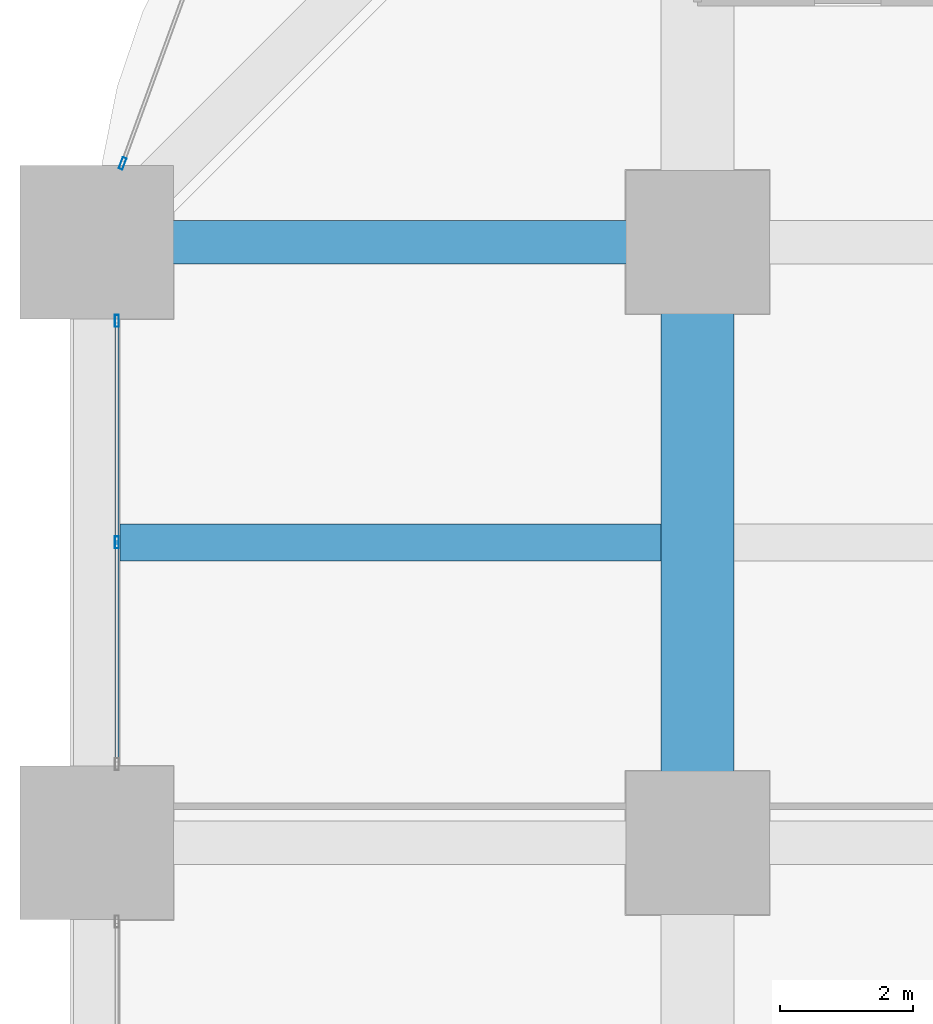
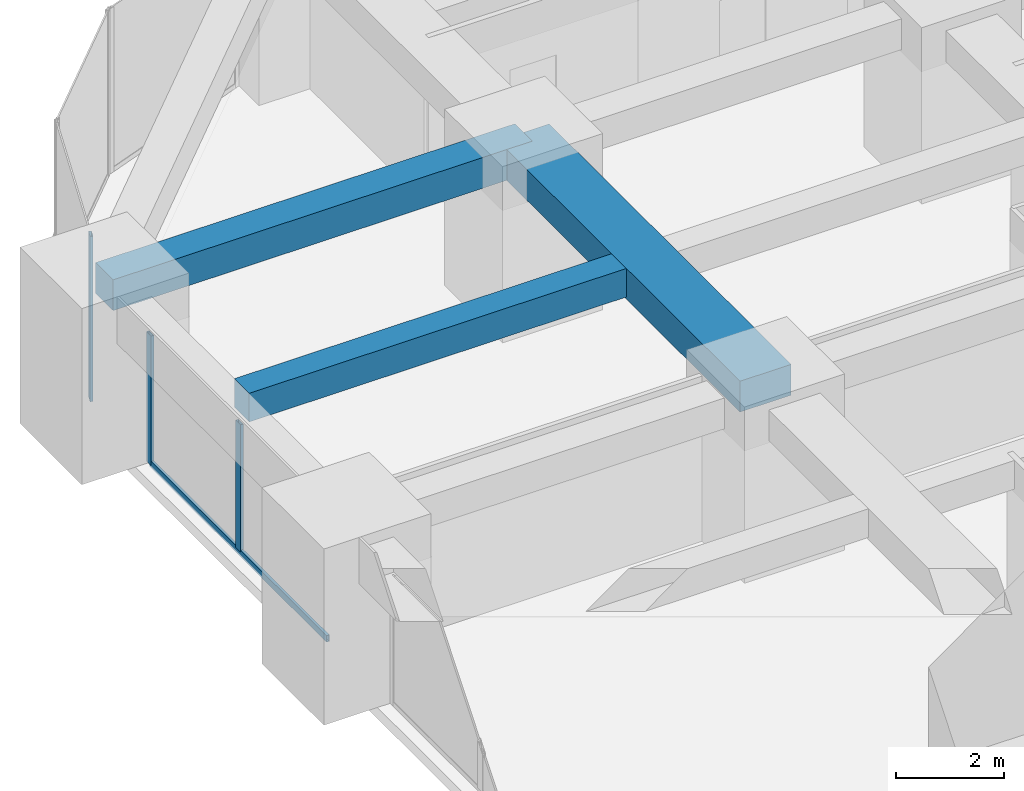
# One storey, part 25 of 44: 4 members, 3 beams, 2 elements without a shape of their own.
"""IFC4 building model written with IfcOpenShell, lengths in metres."""

from ifc_helpers import new_model, si_unit, direction, frame, origin, origin_2d, place, context, subcontext, project, spatial, rectangle, hollow_rectangle, extrude, material, material_profile, profile_set, type_object, element, aggregate, save


model = new_model("IFC4")

# Units and contexts
model_context = context("Model", 3, precision=1e-05, world=origin(), true_north=direction((0.0, 1.0)))
body_context = subcontext(model_context, "Body", "Model", "MODEL_VIEW")
ifc_project = project(units=[si_unit("LENGTHUNIT", "METRE"), si_unit("AREAUNIT", "SQUARE_METRE"), si_unit("VOLUMEUNIT", "CUBIC_METRE"), si_unit("PLANEANGLEUNIT", "RADIAN"), si_unit("MASSUNIT", "GRAM", prefix="KILO")], contexts=[model_context])

# Site, building, storey
site_placement = place(None, origin())
site = spatial("IfcSite", under=ifc_project, at=site_placement, CompositionType="ELEMENT")
building_placement = place(site_placement, origin())
building = spatial("IfcBuilding", under=site, at=building_placement, Name="Zorevar Civic Tower", CompositionType="ELEMENT")
storey_placement = place(building_placement, frame((0.0, 0.0, 55.800048828125)))
storey = spatial("IfcBuildingStorey", under=building, at=storey_placement, Name="L13", CompositionType="ELEMENT", Elevation=55.800048828125)

# Beams
ifc_material_1 = material(Name="Concrete C50/60", Category="concrete")
ifc_material_profile_1 = material_profile(ifc_material_1, rectangle(XDim=1.10009765625, YDim=0.699951171875, at=origin_2d()), Name="RC 1100x700")
ifc_profile_set_1 = profile_set([ifc_material_profile_1], Name="Concrete C50/60")
beam_type_1 = type_object("IfcBeamType", Name="Beam RC 1100x700", PredefinedType="BEAM", material=ifc_profile_set_1)
beam_1_placement = place(storey_placement, frame((9.0, 36.0, 3.39990234375), z_axis=(0.0, 1.0, 0.0), x_axis=(-1.0, 0.0, 0.0)))
element("IfcBeam", 1, at=beam_1_placement, inside=storey, type_object=beam_type_1, Name="Girder L14", PredefinedType="BEAM", context=body_context, shape_type="SweptSolid", body=[
    extrude(rectangle(XDim=1.10009765625, YDim=0.699951171875, at=origin_2d()), origin(), (0.0, 0.0, 1.0), 9.0),
])
ifc_material_2 = material(Name="Concrete C50/60", Category="concrete")
ifc_material_profile_2 = material_profile(ifc_material_2, rectangle(XDim=0.550048828125, YDim=0.64990234375, at=origin_2d()), Name="RC 550x650")
ifc_profile_set_2 = profile_set([ifc_material_profile_2], Name="Concrete C50/60")
beam_type_2 = type_object("IfcBeamType", Name="Beam RC 550x650", PredefinedType="BEAM", material=ifc_profile_set_2)
beam_2_placement = place(storey_placement, frame((0.35009765625, 40.5, 3.425048828125), z_axis=(1.0, 0.0, 0.0), x_axis=(0.0, 1.0, 0.0)))
element("IfcBeam", 2, at=beam_2_placement, inside=storey, type_object=beam_type_2, Name="Secondary beam L14", PredefinedType="BEAM", context=body_context, shape_type="SweptSolid", body=[
    extrude(rectangle(XDim=0.550048828125, YDim=0.64990234375, at=origin_2d()), origin(), (0.0, 0.0, 1.0), 8.099853515625),
])
ifc_material_3 = material(Name="Concrete C50/60", Category="concrete")
ifc_material_profile_3 = material_profile(ifc_material_3, rectangle(XDim=0.64990234375, YDim=0.699951171875, at=origin_2d()), Name="RC 650x700")
ifc_profile_set_3 = profile_set([ifc_material_profile_3], Name="Concrete C50/60")
beam_type_3 = type_object("IfcBeamType", Name="Beam RC 650x700", PredefinedType="BEAM", material=ifc_profile_set_3)
beam_3_placement = place(storey_placement, frame((0.0, 45.0, 3.39990234375), z_axis=(1.0, 0.0, 0.0), x_axis=(0.0, 1.0, 0.0)))
element("IfcBeam", 3, at=beam_3_placement, inside=storey, type_object=beam_type_3, Name="Girder L14", PredefinedType="BEAM", context=body_context, shape_type="SweptSolid", body=[
    extrude(rectangle(XDim=0.64990234375, YDim=0.699951171875, at=origin_2d()), origin(), (0.0, 0.0, 1.0), 9.0),
])

# Curtain wall, members
ifc_material_4 = material(Name="Dark grey solar-control glass in black aluminium frame", Category="aluminium")
curtain_wall_type = type_object("IfcCurtainWallType", Name="Curtain wall CW2 low zone", PredefinedType="NOTDEFINED", material=ifc_material_4)
curtain_wall_1_placement = place(storey_placement, origin())
curtain_wall_1 = element("IfcCurtainWall", 4, at=curtain_wall_1_placement, inside=storey, type_object=curtain_wall_type, Name="CW2 L13", PredefinedType="NOTDEFINED")
ifc_material_5 = material(Name="Aluminium, black anodised", Category="aluminium")
ifc_material_profile_4 = material_profile(ifc_material_5, hollow_rectangle(XDim=0.06005859375, YDim=0.179931640625, WallThickness=0.00390625, at=origin_2d()), Name="AL 180x60x4")
ifc_profile_set_4 = profile_set([ifc_material_profile_4], Name="Aluminium, black anodised")
member_type_1 = type_object("IfcMemberType", Name="CW2 mullion AL 180x60x4", PredefinedType="MULLION", material=ifc_profile_set_4)
member_1_placement = place(storey_placement, frame((0.300048828125, 40.5, 0.06005859375), z_axis=(0.0, 0.0, 1.0), x_axis=(-1.0, 0.0, 0.0)))
member_1 = element("IfcMember", 5, at=member_1_placement, type_object=member_type_1, Name="CW2 mullion 2", PredefinedType="MULLION", context=body_context, shape_type="SweptSolid", body=[
    extrude(hollow_rectangle(XDim=0.06005859375, YDim=0.179931640625, WallThickness=0.00390625, at=origin_2d()), origin(), (0.0, 0.0, 1.0), 2.889892578125),
])
member_2_placement = place(storey_placement, frame((0.300048828125, 43.820068359375, 0.0), z_axis=(0.0, 0.0, 1.0), x_axis=(-1.0, 0.0, 0.0)))
member_2 = element("IfcMember", 6, at=member_2_placement, type_object=member_type_1, Name="CW2 mullion 3", PredefinedType="MULLION", context=body_context, shape_type="SweptSolid", body=[
    extrude(hollow_rectangle(XDim=0.06005859375, YDim=0.179931640625, WallThickness=0.00390625, at=origin_2d()), origin(), (0.0, 0.0, 1.0), 2.949951171875),
])

# Curtain wall, member
curtain_wall_2_placement = place(storey_placement, origin())
curtain_wall_2 = element("IfcCurtainWall", 7, at=curtain_wall_2_placement, inside=storey, type_object=curtain_wall_type, Name="CW2 L13", PredefinedType="NOTDEFINED")
member_3_placement = place(storey_placement, frame((0.38671875, 46.17822265625, 0.0), z_axis=(0.0, 0.0, 1.0), x_axis=(0.939313345732, -0.343060400701, 0.0)))
member_3 = element("IfcMember", 8, at=member_3_placement, type_object=member_type_1, Name="CW2 mullion 2", PredefinedType="MULLION", context=body_context, shape_type="SweptSolid", body=[
    extrude(hollow_rectangle(XDim=0.06005859375, YDim=0.179931640625, WallThickness=0.00390625, at=origin_2d()), origin(), (0.0, 0.0, 1.0), 3.75),
])
aggregate(curtain_wall_2, [member_3])

# Member
ifc_material_6 = material(Name="Aluminium, black anodised", Category="aluminium")
ifc_material_profile_5 = material_profile(ifc_material_6, hollow_rectangle(XDim=0.06005859375, YDim=0.14990234375, WallThickness=0.00390625, at=origin_2d()), Name="AL 150x60x4")
ifc_profile_set_5 = profile_set([ifc_material_profile_5], Name="Aluminium, black anodised")
member_type_2 = type_object("IfcMemberType", Name="CW2 transom AL 150x60x4", PredefinedType="USERDEFINED", material=ifc_profile_set_5)
member_4_placement = place(storey_placement, frame((0.300048828125, 37.2099609375, 0.030029296875), z_axis=(0.0, 1.0, 0.0), x_axis=(-1.0, 0.0, 0.0)))
member_4 = element("IfcMember", 9, at=member_4_placement, type_object=member_type_2, Name="CW2 sill transom", ObjectType="TRANSOM", PredefinedType="USERDEFINED", context=body_context, shape_type="SweptSolid", body=[
    extrude(hollow_rectangle(XDim=0.06005859375, YDim=0.14990234375, WallThickness=0.00390625, at=origin_2d()), origin(), (0.0, 0.0, 1.0), 6.580078125),
])

aggregate(curtain_wall_1, [member_1, member_2, member_4])

save(model, "model.ifc")
